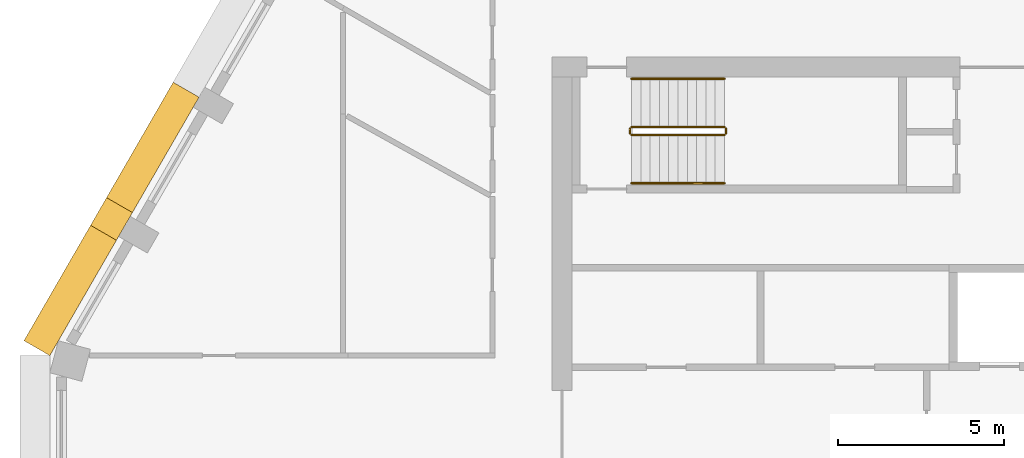
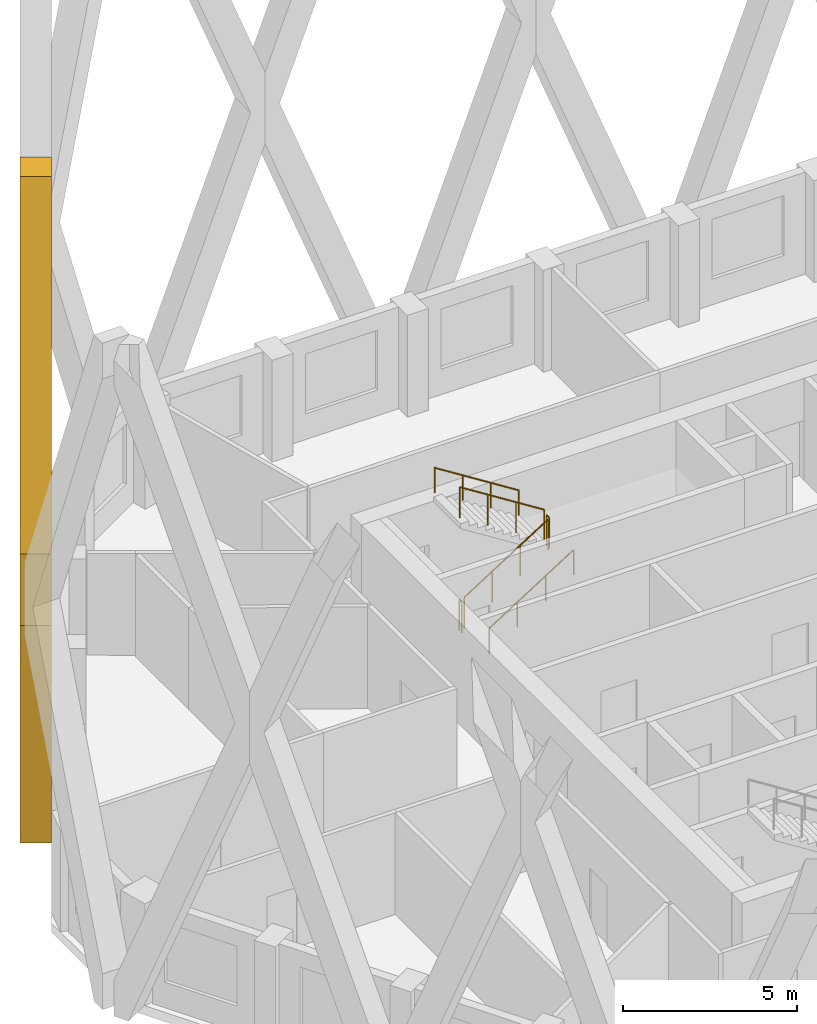
# One storey, part 9 of 13: 6 railings, 1 covering.
"""IFC4 building model written with IfcOpenShell, lengths in metres."""

from ifc_helpers import new_model, si_unit, direction, frame, origin, origin_2d, place, context, subcontext, project, spatial, polyline, circle, outline, extrude, material, type_object, element, save


model = new_model("IFC4")

# Units and contexts
model_context = context("Model", 3, precision=1e-05, world=origin(), true_north=direction((0.0, 1.0)))
body_context = subcontext(model_context, "Body", "Model", "MODEL_VIEW")
ifc_project = project(units=[si_unit("LENGTHUNIT", "METRE"), si_unit("AREAUNIT", "SQUARE_METRE"), si_unit("VOLUMEUNIT", "CUBIC_METRE"), si_unit("PLANEANGLEUNIT", "RADIAN"), si_unit("MASSUNIT", "GRAM", prefix="KILO")], contexts=[model_context])

# Site, building, storey
site_placement = place(None, origin())
site = spatial("IfcSite", under=ifc_project, at=site_placement, CompositionType="ELEMENT")
building_placement = place(site_placement, origin())
building = spatial("IfcBuilding", under=site, at=building_placement, Name="Dhurran Vertical Campus", CompositionType="ELEMENT")
storey_placement = place(building_placement, frame((0.0, 0.0, 258.60009765625)))
storey = spatial("IfcBuildingStorey", under=building, at=storey_placement, Name="L64", CompositionType="ELEMENT", Elevation=258.60009765625)

# Covering
ifc_material_1 = material(Name="Precast concrete C50/60", Category="concrete")
covering_type = type_object("IfcCoveringType", Name="Folded precast fin lattice diamond", PredefinedType="USERDEFINED", material=ifc_material_1)
covering_placement = place(storey_placement, frame((-24.147216796875, 10.044189453125, 0.0), z_axis=(-0.866013897511, 0.50001992892, 0.0), x_axis=(-0.50001992892, -0.866013897511, 0.0)))
element("IfcCovering", 1, at=covering_placement, inside=storey, type_object=covering_type, Name="FN1 L64.019", ObjectType="FIN", PredefinedType="USERDEFINED", context=body_context, shape_type="SweptSolid", body=[
    extrude(outline(polyline([(9.0, 12.95361328125), (9.0, 10.4462890625), (4.982177734375, 0.0), (4.017822265625, 0.0), (0.0, 10.4462890625), (0.0, 12.95361328125), (4.017822265625, 23.39990234375), (4.982177734375, 23.39990234375), (9.0, 12.95361328125)]), holes=[polyline([(8.517822265625, 11.699951171875), (4.5, 22.146484375), (0.482177734375, 11.699951171875), (4.5, 1.253662109375), (8.517822265625, 11.699951171875)])]), origin(), (0.0, 0.0, 1.0), 0.89990234375),
])

# Railings
ifc_material_2 = material(Name="Stainless steel balustrade", Category="steel")
railing_type_1 = type_object("IfcRailingType", Name="co-RL-GUARD-1100", PredefinedType="GUARDRAIL", material=ifc_material_2)
railing_1_placement = place(storey_placement, frame((-11.10009765625, 8.89990234375, 0.17724609375)))
element("IfcRailing", 2, at=railing_1_placement, inside=storey, type_object=railing_type_1, Name="L64 ST1 stair guard 1", PredefinedType="GUARDRAIL", context=body_context, shape_type="SweptSolid", body=[
    extrude(circle(Radius=0.02392578125, at=origin_2d()), frame((0.0, 0.0, 1.076171875), z_axis=(0.844908973607, 0.0, 0.534910110503), x_axis=(0.0, 1.0, 0.0)), (0.0, 0.0, 1.0), 3.31396484375),
    extrude(circle(Radius=0.02099609375, at=origin_2d()), origin(), (0.0, 0.0, 1.0), 1.052001953125),
    extrude(circle(Radius=0.02099609375, at=origin_2d()), frame((0.933349609375, 0.0, 0.5908203125)), (0.0, 0.0, 1.0), 1.052001953125),
    extrude(circle(Radius=0.02099609375, at=origin_2d()), frame((1.86669921875, 0.0, 1.181884765625)), (0.0, 0.0, 1.0), 1.052001953125),
    extrude(circle(Radius=0.02099609375, at=origin_2d()), frame((2.800048828125, 0.0, 1.772705078125)), (0.0, 0.0, 1.0), 1.052001953125),
])
railing_2_placement = place(storey_placement, frame((-8.25, 8.949951171875, 1.949951171875)))
element("IfcRailing", 3, at=railing_2_placement, inside=storey, type_object=railing_type_1, Name="L64 ST1 stair guard 2", PredefinedType="GUARDRAIL", context=body_context, shape_type="SweptSolid", body=[
    extrude(circle(Radius=0.02392578125, at=origin_2d()), frame((0.0, 0.0, 1.076171875), z_axis=(0.0, 1.0, 0.0), x_axis=(-1.0, 0.0, 0.0)), (0.0, 0.0, 1.0), 0.150146484375),
    extrude(circle(Radius=0.02099609375, at=origin_2d()), origin(), (0.0, 0.0, 1.0), 1.052001953125),
    extrude(circle(Radius=0.02099609375, at=origin_2d()), frame((0.0, 0.150146484375, 0.0)), (0.0, 0.0, 1.0), 1.052001953125),
])
railing_3_placement = place(storey_placement, frame((-8.300048828125, 9.14990234375, 2.127197265625)))
element("IfcRailing", 4, at=railing_3_placement, inside=storey, type_object=railing_type_1, Name="L64 ST1 stair guard 3", PredefinedType="GUARDRAIL", context=body_context, shape_type="SweptSolid", body=[
    extrude(circle(Radius=0.02392578125, at=origin_2d()), frame((0.0, 0.0, 1.076171875), z_axis=(-0.844908973607, 0.0, 0.534910110503), x_axis=(0.0, -1.0, 0.0)), (0.0, 0.0, 1.0), 3.31396484375),
    extrude(circle(Radius=0.02099609375, at=origin_2d()), origin(), (0.0, 0.0, 1.0), 1.052001953125),
    extrude(circle(Radius=0.02099609375, at=origin_2d()), frame((-0.933349609375, 0.0, 0.5908203125)), (0.0, 0.0, 1.0), 1.052001953125),
    extrude(circle(Radius=0.02099609375, at=origin_2d()), frame((-1.86669921875, 0.0, 1.181884765625)), (0.0, 0.0, 1.0), 1.052001953125),
    extrude(circle(Radius=0.02099609375, at=origin_2d()), frame((-2.800048828125, 0.0, 1.772705078125)), (0.0, 0.0, 1.0), 1.052001953125),
])
railing_4_placement = place(storey_placement, frame((-11.14990234375, 8.949951171875, 0.0)))
element("IfcRailing", 5, at=railing_4_placement, inside=storey, type_object=railing_type_1, Name="L64 ST1 stair guard 4", PredefinedType="GUARDRAIL", context=body_context, shape_type="SweptSolid", body=[
    extrude(circle(Radius=0.02392578125, at=origin_2d()), frame((0.0, 0.0, 1.076171875), z_axis=(0.0, 1.0, 0.0), x_axis=(-1.0, 0.0, 0.0)), (0.0, 0.0, 1.0), 0.150146484375),
    extrude(circle(Radius=0.02099609375, at=origin_2d()), origin(), (0.0, 0.0, 1.0), 1.052001953125),
    extrude(circle(Radius=0.02099609375, at=origin_2d()), frame((0.0, 0.150146484375, 0.0)), (0.0, 0.0, 1.0), 1.052001953125),
])
ifc_material_3 = material(Name="Stainless steel handrail", Category="steel")
railing_type_2 = type_object("IfcRailingType", Name="co-RL-HANDRAIL-900", PredefinedType="HANDRAIL", material=ifc_material_3)
railing_5_placement = place(storey_placement, frame((-11.10009765625, 7.449951171875, 0.17724609375)))
element("IfcRailing", 6, at=railing_5_placement, inside=storey, type_object=railing_type_2, Name="L64 ST1 stair handrail 1", PredefinedType="HANDRAIL", context=body_context, shape_type="SweptSolid", body=[
    extrude(circle(Radius=0.02392578125, at=origin_2d()), frame((0.0, 0.0, 0.8759765625), z_axis=(0.844908973607, 0.0, 0.534910110503), x_axis=(0.0, 1.0, 0.0)), (0.0, 0.0, 1.0), 3.31396484375),
    extrude(circle(Radius=0.02099609375, at=origin_2d()), origin(), (0.0, 0.0, 1.0), 0.851806640625),
    extrude(circle(Radius=0.02099609375, at=origin_2d()), frame((0.933349609375, 0.0, 0.5908203125)), (0.0, 0.0, 1.0), 0.851806640625),
    extrude(circle(Radius=0.02099609375, at=origin_2d()), frame((1.86669921875, 0.0, 1.181884765625)), (0.0, 0.0, 1.0), 0.851806640625),
    extrude(circle(Radius=0.02099609375, at=origin_2d()), frame((2.800048828125, 0.0, 1.772705078125)), (0.0, 0.0, 1.0), 0.851806640625),
])
railing_6_placement = place(storey_placement, frame((-8.300048828125, 10.60009765625, 2.127197265625)))
element("IfcRailing", 7, at=railing_6_placement, inside=storey, type_object=railing_type_2, Name="L64 ST1 stair handrail 2", PredefinedType="HANDRAIL", context=body_context, shape_type="SweptSolid", body=[
    extrude(circle(Radius=0.02392578125, at=origin_2d()), frame((0.0, 0.0, 0.8759765625), z_axis=(-0.844908973607, 0.0, 0.534910110503), x_axis=(0.0, -1.0, 0.0)), (0.0, 0.0, 1.0), 3.31396484375),
    extrude(circle(Radius=0.02099609375, at=origin_2d()), origin(), (0.0, 0.0, 1.0), 0.851806640625),
    extrude(circle(Radius=0.02099609375, at=origin_2d()), frame((-0.933349609375, 0.0, 0.5908203125)), (0.0, 0.0, 1.0), 0.851806640625),
    extrude(circle(Radius=0.02099609375, at=origin_2d()), frame((-1.86669921875, 0.0, 1.181884765625)), (0.0, 0.0, 1.0), 0.851806640625),
    extrude(circle(Radius=0.02099609375, at=origin_2d()), frame((-2.800048828125, 0.0, 1.772705078125)), (0.0, 0.0, 1.0), 0.851806640625),
])

save(model, "model.ifc")
